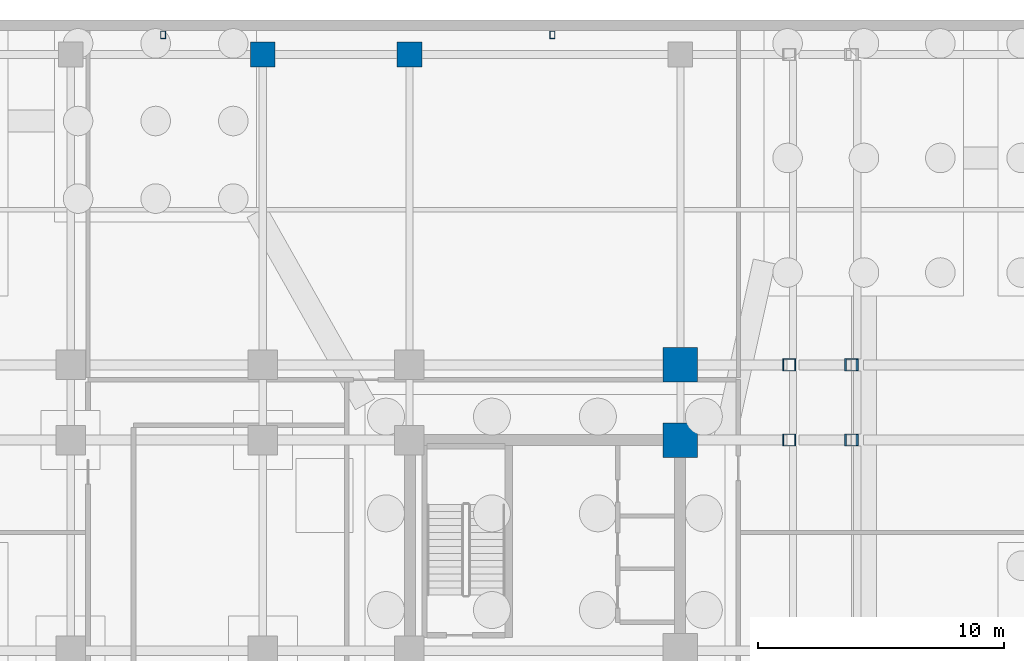
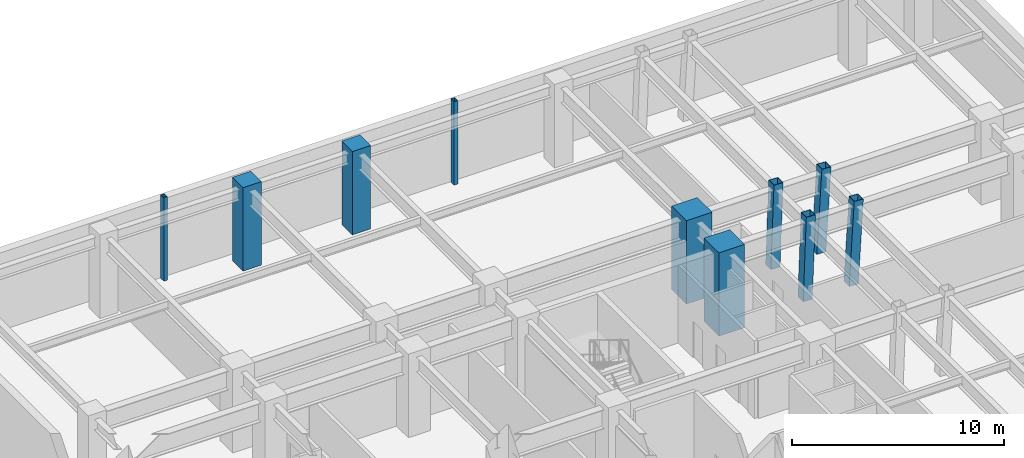
# One storey, part 6 of 13: 10 columns.
"""IFC4 building model written with IfcOpenShell, lengths in metres."""

from ifc_helpers import new_model, si_unit, direction, frame, origin, origin_2d, place, context, subcontext, project, spatial, rectangle, hollow_rectangle, extrude, material, material_profile, profile_set, type_object, element, save


model = new_model("IFC4")

# Units and contexts
model_context = context("Model", 3, precision=1e-05, world=origin(), true_north=direction((0.0, 1.0)))
body_context = subcontext(model_context, "Body", "Model", "MODEL_VIEW")
ifc_project = project(units=[si_unit("LENGTHUNIT", "METRE"), si_unit("AREAUNIT", "SQUARE_METRE"), si_unit("VOLUMEUNIT", "CUBIC_METRE"), si_unit("PLANEANGLEUNIT", "RADIAN"), si_unit("MASSUNIT", "GRAM", prefix="KILO")], contexts=[model_context])

# Site, building, storey
site_placement = place(None, origin())
site = spatial("IfcSite", under=ifc_project, at=site_placement, CompositionType="ELEMENT")
building_placement = place(site_placement, origin())
building = spatial("IfcBuilding", under=site, at=building_placement, Name="Ochreholt Gables", CompositionType="ELEMENT")
storey_placement = place(building_placement, frame((0.0, 0.0, -9.60009765625)))
storey = spatial("IfcBuildingStorey", under=building, at=storey_placement, Name="B2", CompositionType="ELEMENT", Elevation=-9.60009765625)

# Columns
ifc_material_1 = material(Name="Steel CSA G40.21 350W", Category="steel")
ifc_material_profile_1 = material_profile(ifc_material_1, hollow_rectangle(XDim=0.5, YDim=0.5, WallThickness=0.02197265625, at=origin_2d()), Name="HSS500X500X22")
ifc_profile_set_1 = profile_set([ifc_material_profile_1], Name="Steel CSA G40.21 350W")
column_type_1 = type_object("IfcColumnType", Name="COL-HSS500-RAK", PredefinedType="COLUMN", material=ifc_profile_set_1)
for number, where, z_axis, x_axis, name in (
    (1, (39.60009765625, 38.75, 0.0), (0.034971728386, 0.0, 0.99938830202), (0.0, 1.0, 0.0), "B2 Column EMY5"),
    (2, (39.60009765625, 41.800048828125, 0.0), (0.034971728386, 0.0, 0.99938830202), (0.0, 1.0, 0.0), "B2 Column EMY6"),
):
    element("IfcColumn", number, at=place(storey_placement, frame(where, z_axis=z_axis, x_axis=x_axis)), inside=storey, type_object=column_type_1, Name=name, PredefinedType="COLUMN", context=body_context, shape_type="SweptSolid", body=[
        extrude(hollow_rectangle(XDim=0.5, YDim=0.5, WallThickness=0.02197265625, at=origin_2d()), origin(), (0.0, 0.0, 1.0), 4.802978515625),
    ])
for number, where, z_axis, x_axis, name in (
    (3, (42.10009765625, 38.75, 0.0), (0.057885584411, 0.0, 0.998323223769), (0.0, 1.0, 0.0), "B2 Column EEY5"),
    (4, (42.10009765625, 41.800048828125, 0.0), (0.057885584411, 0.0, 0.998323223769), (0.0, 1.0, 0.0), "B2 Column EEY6"),
):
    element("IfcColumn", number, at=place(storey_placement, frame(where, z_axis=z_axis, x_axis=x_axis)), inside=storey, type_object=column_type_1, Name=name, PredefinedType="COLUMN", context=body_context, shape_type="SweptSolid", body=[
        extrude(hollow_rectangle(XDim=0.5, YDim=0.5, WallThickness=0.02197265625, at=origin_2d()), origin(), (0.0, 0.0, 1.0), 4.80810546875),
    ])
ifc_material_2 = material(Name="Concrete 60 MPa", Category="concrete")
ifc_material_profile_2 = material_profile(ifc_material_2, rectangle(XDim=1.0, YDim=1.0, at=origin_2d()), Name="RC1000X1000")
ifc_profile_set_2 = profile_set([ifc_material_profile_2], Name="Concrete 60 MPa")
column_type_2 = type_object("IfcColumnType", Name="COL-RC1000-EXT", PredefinedType="COLUMN", material=ifc_profile_set_2)
for number, where, z_axis, x_axis, name in (
    (5, (18.25, 54.39990234375, 0.0), (0.0, 0.0, 1.0), (1.0, 0.0, 0.0), "B2 Column W3Y7"),
    (6, (24.199951171875, 54.39990234375, 0.0), (0.0, 0.0, 1.0), (1.0, 0.0, 0.0), "B2 Column C1Y7"),
):
    element("IfcColumn", number, at=place(storey_placement, frame(where, z_axis=z_axis, x_axis=x_axis)), inside=storey, type_object=column_type_2, Name=name, PredefinedType="COLUMN", context=body_context, shape_type="SweptSolid", body=[
        extrude(rectangle(XDim=1.0, YDim=1.0, at=origin_2d()), origin(), (0.0, 0.0, 1.0), 4.800048828125),
    ])
ifc_material_profile_3 = material_profile(ifc_material_2, rectangle(XDim=1.39990234375, YDim=1.39990234375, at=origin_2d()), Name="RC1400X1400")
ifc_profile_set_3 = profile_set([ifc_material_profile_3], Name="Concrete 60 MPa")
column_type_3 = type_object("IfcColumnType", Name="COL-RC1400-BASE", PredefinedType="COLUMN", material=ifc_profile_set_3)
for number, where, z_axis, x_axis, name in (
    (7, (35.199951171875, 38.75, 0.0), (0.0, 0.0, 1.0), (1.0, 0.0, 0.0), "B2 Column C2Y5"),
    (8, (35.199951171875, 41.800048828125, 0.0), (0.0, 0.0, 1.0), (1.0, 0.0, 0.0), "B2 Column C2Y6"),
):
    element("IfcColumn", number, at=place(storey_placement, frame(where, z_axis=z_axis, x_axis=x_axis)), inside=storey, type_object=column_type_3, Name=name, PredefinedType="COLUMN", context=body_context, shape_type="SweptSolid", body=[
        extrude(rectangle(XDim=1.39990234375, YDim=1.39990234375, at=origin_2d()), origin(), (0.0, 0.0, 1.0), 4.800048828125),
    ])
ifc_material_profile_4 = material_profile(ifc_material_1, hollow_rectangle(XDim=0.202880859375, YDim=0.304931640625, WallThickness=0.0126953125, at=origin_2d()), Name="HSS305X203X13")
ifc_profile_set_4 = profile_set([ifc_material_profile_4], Name="Steel CSA G40.21 350W")
column_type_4 = type_object("IfcColumnType", Name="PIL-HSS305-EXT", PredefinedType="PILASTER", material=ifc_profile_set_4)
for number, where, z_axis, x_axis, name in (
    (9, (14.199951171875, 55.199951171875, 0.0), (0.0, 0.0, 1.0), (1.0, 0.0, 0.0), "B2 Engaged Pilaster PL3"),
    (10, (30.0, 55.199951171875, 0.0), (0.0, 0.0, 1.0), (1.0, 0.0, 0.0), "B2 Engaged Pilaster PL4"),
):
    element("IfcColumn", number, at=place(storey_placement, frame(where, z_axis=z_axis, x_axis=x_axis)), inside=storey, type_object=column_type_4, Name=name, PredefinedType="PILASTER", context=body_context, shape_type="SweptSolid", body=[
        extrude(hollow_rectangle(XDim=0.202880859375, YDim=0.304931640625, WallThickness=0.0126953125, at=origin_2d()), origin(), (0.0, 0.0, 1.0), 4.800048828125),
    ])

save(model, "model.ifc")
